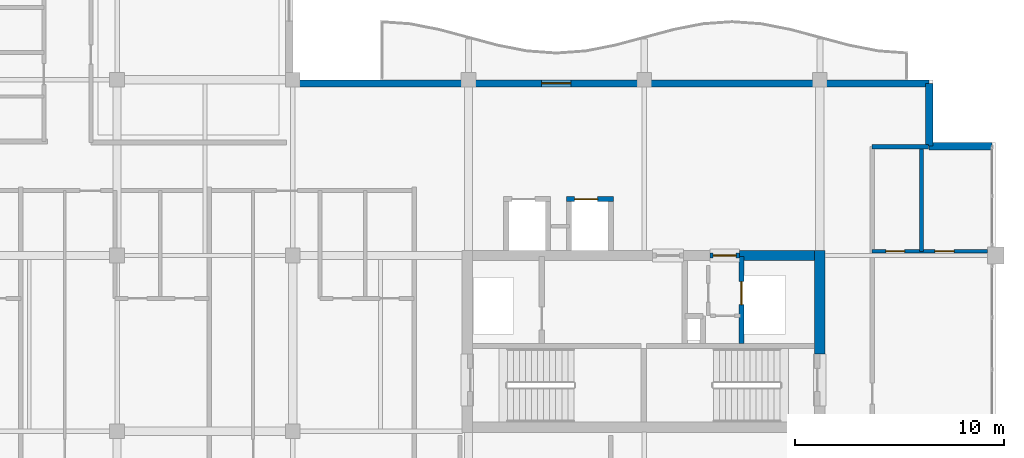
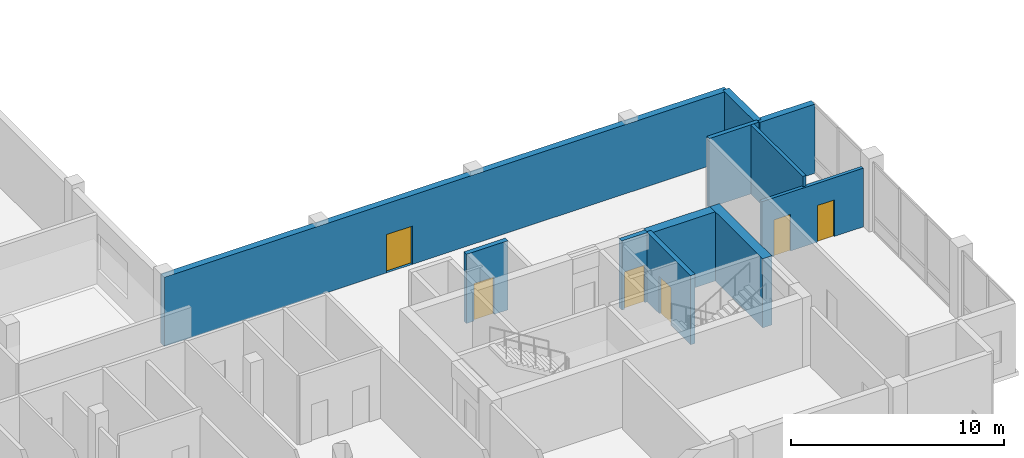
# One storey, part 9 of 16: 11 walls, 6 doors, 6 openings.
"""IFC4 building model written with IfcOpenShell, lengths in metres."""

from ifc_helpers import new_model, si_unit, direction, frame, frame_2d, origin, place, context, subcontext, project, spatial, rectangle, extrude, material, layer, layer_set, type_object, element, fill, save


model = new_model("IFC4")

# Units and contexts
model_context = context("Model", 3, precision=1e-05, world=origin(), true_north=direction((0.0, 1.0)))
body_context = subcontext(model_context, "Body", "Model", "MODEL_VIEW")
ifc_project = project(units=[si_unit("LENGTHUNIT", "METRE"), si_unit("AREAUNIT", "SQUARE_METRE"), si_unit("VOLUMEUNIT", "CUBIC_METRE"), si_unit("PLANEANGLEUNIT", "RADIAN"), si_unit("MASSUNIT", "GRAM", prefix="KILO")], contexts=[model_context])

# Site, building, storey
site_placement = place(None, origin())
site = spatial("IfcSite", under=ifc_project, at=site_placement, CompositionType="ELEMENT")
building_placement = place(site_placement, origin())
building = spatial("IfcBuilding", under=site, at=building_placement, Name="Koriwani Terraces Tower", CompositionType="ELEMENT")
storey_placement = place(building_placement, frame((0.0, 0.0, 355.39990234375)))
storey = spatial("IfcBuildingStorey", under=building, at=storey_placement, Name="L88", CompositionType="ELEMENT", Elevation=355.39990234375)

# Walls
ifc_material_1 = material(Name="Concrete C50/60", Category="concrete")
ifc_layer_1 = layer(ifc_material_1, 0.5, Name="Concrete C50/60")
ifc_layer_set_1 = layer_set([ifc_layer_1], Name="Concrete C50/60")
wall_type_1 = type_object("IfcWallType", Name="WALL_CORE_RC_500", PredefinedType="SHEAR", material=ifc_layer_set_1)
wall_1_placement = place(storey_placement, frame((58.800048828125, 20.5, 0.0), z_axis=(0.0, 0.0, 1.0), x_axis=(0.0, 1.0, 0.0)))
element("IfcWall", 1, at=wall_1_placement, inside=storey, type_object=wall_type_1, Name="L88 East Split Core Shear Wall E2", PredefinedType="SHEAR", context=body_context, shape_type="SweptSolid", body=[
    extrude(rectangle(XDim=4.949951171875, YDim=0.5, at=frame_2d((2.47509765625, 0.0))), origin(), (0.0, 0.0, 1.0), 3.97021484375),
])
wall_2_placement = place(storey_placement, frame((54.949951171875, 25.199951171875, 0.0), z_axis=(0.0, 0.0, 1.0), x_axis=(1.0, 0.0, 0.0)))
element("IfcWall", 2, at=wall_2_placement, inside=storey, type_object=wall_type_1, Name="L88 East Split Core Shear Wall N3", PredefinedType="SHEAR", context=body_context, shape_type="SweptSolid", body=[
    extrude(rectangle(XDim=3.60009765625, YDim=0.5, at=frame_2d((1.800048828125, 0.0))), origin(), (0.0, 0.0, 1.0), 3.97021484375),
])
ifc_material_2 = material(Name="Autoclaved Cellular Concrete Blockwork", Category="masonry")
ifc_layer_2 = layer(ifc_material_2, 0.219970703125, Name="Autoclaved Cellular Concrete Blockwork")
ifc_layer_set_2 = layer_set([ifc_layer_2], Name="Autoclaved Cellular Concrete Blockwork")
wall_type_2 = type_object("IfcWallType", Name="WALL_DEMISING_220", PredefinedType="PARTITIONING", material=ifc_layer_set_2)
wall_3_placement = place(storey_placement, frame((61.300048828125, 30.39990234375, 0.0), z_axis=(0.0, 0.0, 1.0), x_axis=(1.0, 0.0, 0.0)))
element("IfcWall", 3, at=wall_3_placement, inside=storey, type_object=wall_type_2, Name="L88 Interior Wall WET-N-L88", PredefinedType="PARTITIONING", context=body_context, shape_type="SweptSolid", body=[
    extrude(rectangle(XDim=2.699951171875, YDim=0.219970703125, at=frame_2d((1.35009765625, 0.0))), origin(), (0.0, 0.0, 1.0), 3.97021484375),
])

# Wall, opening, door
ifc_layer_3 = layer(ifc_material_1, 0.35009765625, Name="Concrete C50/60")
ifc_layer_set_3 = layer_set([ifc_layer_3], Name="Concrete C50/60")
wall_type_3 = type_object("IfcWallType", Name="WALL_EXT_BRUTALIST_350", PredefinedType="STANDARD", material=ifc_layer_set_3)
wall_4_placement = place(storey_placement, frame((33.425048828125, 33.425048828125, 0.0), z_axis=(0.0, 0.0, 1.0), x_axis=(1.0, 0.0, 0.0)))
wall_4 = element("IfcWall", 4, at=wall_4_placement, inside=storey, type_object=wall_type_3, Name="L88 Fair-Faced Brutalist Exterior Wall (NE)", PredefinedType="STANDARD", context=body_context, shape_type="SweptSolid", body=[
    extrude(rectangle(XDim=30.599853515625, YDim=0.35009765625, at=frame_2d((15.2998046875, 0.0))), origin(), (0.0, 0.0, 1.0), 3.97021484375),
])
opening_1_placement = place(wall_4_placement, frame((12.074951171875, 0.0, 0.0)))
opening_1 = element("IfcOpeningElement", 5, at=opening_1_placement, cuts=wall_4, Name="Opening D-09", PredefinedType="OPENING", context=body_context, shape_type="SweptSolid", body=[
    extrude(rectangle(XDim=1.39990234375, YDim=2.199951171875, at=frame_2d((0.699951171875, 1.10009765625))), frame((0.0, 0.18505859375, 0.0), z_axis=(0.0, -1.0, 0.0), x_axis=(1.0, 0.0, 0.0)), (0.0, 0.0, 1.0), 0.3701171875),
])
ifc_material_3 = material(Name="Anodised Bronze Aluminium", Category="aluminium")
door_type_1 = type_object("IfcDoorType", Name="DOOR_BALCONY_GLAZED_1400X2200", OperationType="NOTDEFINED", PredefinedType="DOOR", material=ifc_material_3)
door_1_placement = place(opening_1_placement, origin())
door_1 = element("IfcDoor", 6, at=door_1_placement, inside=storey, type_object=door_type_1, Name="L88 Inner Court Balcony Glazed Door", OperationType="SINGLE_SWING_LEFT", OverallHeight=2.199951171875, OverallWidth=1.39990234375, PredefinedType="DOOR", context=body_context, shape_type="SweptSolid", body=[
    extrude(rectangle(XDim=1.39990234375, YDim=2.199951171875, at=frame_2d((0.699951171875, 1.10009765625))), frame((0.0, 0.02490234375, 0.0), z_axis=(0.0, -1.0, 0.0), x_axis=(1.0, 0.0, 0.0)), (0.0, 0.0, 1.0), 0.050048828125),
])
fill(opening_1, door_1)

# Walls
for number, where, z_axis, x_axis, name in (
    (7, (64.02490234375, 33.425048828125, 0.0), (0.0, 0.0, 1.0), (0.0, -1.0, 0.0), "L88 Fair-Faced Brutalist Exterior Wall (N10)"),
    (8, (64.02490234375, 30.425048828125, 0.0), (0.0, 0.0, 1.0), (1.0, 0.0, 0.0), "L88 Fair-Faced Brutalist Exterior Wall (N11)"),
):
    element("IfcWall", number, at=place(storey_placement, frame(where, z_axis=z_axis, x_axis=x_axis)), inside=storey, type_object=wall_type_3, Name=name, PredefinedType="STANDARD", context=body_context, shape_type="SweptSolid", body=[
        extrude(rectangle(XDim=3.0, YDim=0.35009765625, at=frame_2d((1.5, 0.0))), origin(), (0.0, 0.0, 1.0), 3.97021484375),
    ])

# Wall, openings, doors
ifc_material_4 = material(Name="Fire-Rated Acoustic Gypsum Partition", Category="masonry")
ifc_layer_4 = layer(ifc_material_4, 0.179931640625, Name="Fire-Rated Acoustic Gypsum Partition")
ifc_layer_set_4 = layer_set([ifc_layer_4], Name="Fire-Rated Acoustic Gypsum Partition")
wall_type_4 = type_object("IfcWallType", Name="WALL_PLUMBING_180", PredefinedType="PLUMBINGWALL", material=ifc_layer_set_4)
wall_5_placement = place(storey_placement, frame((61.300048828125, 25.39990234375, 0.0), z_axis=(0.0, 0.0, 1.0), x_axis=(1.0, 0.0, 0.0)))
wall_5 = element("IfcWall", 9, at=wall_5_placement, inside=storey, type_object=wall_type_4, Name="L88 Interior Wall WET-SVB-L88", PredefinedType="PLUMBINGWALL", context=body_context, shape_type="SweptSolid", body=[
    extrude(rectangle(XDim=5.5, YDim=0.179931640625, at=frame_2d((2.75, 0.0))), origin(), (0.0, 0.0, 1.0), 3.3701171875),
])
opening_2_placement = place(wall_5_placement, frame((0.64990234375, 0.0, 0.0)))
opening_2 = element("IfcOpeningElement", 10, at=opening_2_placement, cuts=wall_5, Name="Opening D-07", PredefinedType="OPENING", context=body_context, shape_type="SweptSolid", body=[
    extrude(rectangle(XDim=0.89990234375, YDim=2.10009765625, at=frame_2d((0.449951171875, 1.050048828125))), frame((0.0, 0.10009765625, 0.0), z_axis=(0.0, -1.0, 0.0), x_axis=(1.0, 0.0, 0.0)), (0.0, 0.0, 1.0), 0.199951171875),
])
opening_3_placement = place(wall_5_placement, frame((3.0, 0.0, 0.0)))
opening_3 = element("IfcOpeningElement", 11, at=opening_3_placement, cuts=wall_5, Name="Opening D-06", PredefinedType="OPENING", context=body_context, shape_type="SweptSolid", body=[
    extrude(rectangle(XDim=0.919921875, YDim=2.10009765625, at=frame_2d((0.4599609375, 1.050048828125))), frame((0.0, 0.10009765625, 0.0), z_axis=(0.0, -1.0, 0.0), x_axis=(1.0, 0.0, 0.0)), (0.0, 0.0, 1.0), 0.199951171875),
])
ifc_material_5 = material(Name="Architectural Oak Fire Door", Category="wood")
door_type_2 = type_object("IfcDoorType", Name="DOOR_BATH_INT_900X2100", OperationType="NOTDEFINED", PredefinedType="DOOR", material=ifc_material_5)
door_2_placement = place(opening_2_placement, origin())
door_2 = element("IfcDoor", 12, at=door_2_placement, inside=storey, type_object=door_type_2, Name="Penthouse 88ET Bathroom Door", OperationType="SINGLE_SWING_RIGHT", OverallHeight=2.10009765625, OverallWidth=0.89990234375, PredefinedType="DOOR", context=body_context, shape_type="SweptSolid", body=[
    extrude(rectangle(XDim=0.89990234375, YDim=2.10009765625, at=frame_2d((0.449951171875, 1.050048828125))), frame((0.0, 0.02490234375, 0.0), z_axis=(0.0, -1.0, 0.0), x_axis=(1.0, 0.0, 0.0)), (0.0, 0.0, 1.0), 0.050048828125),
])
fill(opening_2, door_2)
door_type_3 = type_object("IfcDoorType", Name="DOOR_ROOM_INT_920X2100", OperationType="NOTDEFINED", PredefinedType="DOOR", material=ifc_material_5)
door_3_placement = place(opening_3_placement, origin())
door_3 = element("IfcDoor", 13, at=door_3_placement, inside=storey, type_object=door_type_3, Name="Penthouse 88ET Kitchen Door", OperationType="SINGLE_SWING_LEFT", OverallHeight=2.10009765625, OverallWidth=0.919921875, PredefinedType="DOOR", context=body_context, shape_type="SweptSolid", body=[
    extrude(rectangle(XDim=0.919921875, YDim=2.10009765625, at=frame_2d((0.4599609375, 1.050048828125))), frame((0.0, 0.02490234375, 0.0), z_axis=(0.0, -1.0, 0.0), x_axis=(1.0, 0.0, 0.0)), (0.0, 0.0, 1.0), 0.050048828125),
])
fill(opening_3, door_3)

# Wall
wall_6_placement = place(storey_placement, frame((63.64990234375, 25.39990234375, 0.0), z_axis=(0.0, 0.0, 1.0), x_axis=(0.0, 1.0, 0.0)))
element("IfcWall", 14, at=wall_6_placement, inside=storey, type_object=wall_type_4, Name="L88 Interior Wall WET-SVCM-L88", PredefinedType="PLUMBINGWALL", context=body_context, shape_type="SweptSolid", body=[
    extrude(rectangle(XDim=5.0, YDim=0.179931640625, at=frame_2d((2.5, 0.0))), origin(), (0.0, 0.0, 1.0), 3.97021484375),
])

# Wall, opening, door
ifc_material_6 = material(Name="Concrete C40/50", Category="concrete")
ifc_layer_5 = layer(ifc_material_6, 0.25, Name="Concrete C40/50")
ifc_layer_set_5 = layer_set([ifc_layer_5], Name="Concrete C40/50")
wall_type_5 = type_object("IfcWallType", Name="WALL_SHAFT_RATED_250", PredefinedType="SOLIDWALL", material=ifc_layer_set_5)
wall_7_placement = place(storey_placement, frame((55.050048828125, 21.0, 0.0), z_axis=(0.0, 0.0, 1.0), x_axis=(0.0, 1.0, 0.0)))
wall_7 = element("IfcWall", 15, at=wall_7_placement, inside=storey, type_object=wall_type_5, Name="L88 Interior Wall WIN-CE-L88-SE", PredefinedType="SOLIDWALL", context=body_context, shape_type="SweptSolid", body=[
    extrude(rectangle(XDim=4.14990234375, YDim=0.25, at=frame_2d((2.074951171875, 0.0))), origin(), (0.0, 0.0, 1.0), 3.97021484375),
])
opening_4_placement = place(wall_7_placement, frame((1.85009765625, 0.0, 0.0)))
opening_4 = element("IfcOpeningElement", 16, at=opening_4_placement, cuts=wall_7, Name="Opening LD-01", PredefinedType="OPENING", context=body_context, shape_type="SweptSolid", body=[
    extrude(rectangle(XDim=1.10009765625, YDim=2.14990234375, at=frame_2d((0.550048828125, 1.074951171875))), frame((0.0, 0.135009765625, 0.0), z_axis=(0.0, -1.0, 0.0), x_axis=(1.0, 0.0, 0.0)), (0.0, 0.0, 1.0), 0.27001953125),
])
ifc_material_7 = material(Name="Steel ASTM A572 Grade 50", Category="steel")
door_type_4 = type_object("IfcDoorType", Name="DOOR_LIFT_LANDING_1100X2200", OperationType="NOTDEFINED", PredefinedType="DOOR", material=ifc_material_7)
door_4_placement = place(opening_4_placement, origin())
door_4 = element("IfcDoor", 17, at=door_4_placement, inside=storey, type_object=door_type_4, Name="L88 Goods Lift SE-02 Landing Door", OperationType="SLIDING_TO_LEFT", OverallHeight=2.14990234375, OverallWidth=1.10009765625, PredefinedType="DOOR", context=body_context, shape_type="SweptSolid", body=[
    extrude(rectangle(XDim=1.10009765625, YDim=2.14990234375, at=frame_2d((0.550048828125, 1.074951171875))), frame((0.0, 0.02490234375, 0.0), z_axis=(0.0, -1.0, 0.0), x_axis=(1.0, 0.0, 0.0)), (0.0, 0.0, 1.0), 0.050048828125),
])
fill(opening_4, door_4)

wall_8_placement = place(storey_placement, frame((53.550048828125, 25.199951171875, 0.0), z_axis=(0.0, 0.0, 1.0), x_axis=(1.0, 0.0, 0.0)))
wall_8 = element("IfcWall", 18, at=wall_8_placement, inside=storey, type_object=wall_type_5, Name="L88 Interior Wall WIN-CE-L88-NP2", PredefinedType="SOLIDWALL", context=body_context, shape_type="SweptSolid", body=[
    extrude(rectangle(XDim=1.39990234375, YDim=0.25, at=frame_2d((0.699951171875, 0.0))), origin(), (0.0, 0.0, 1.0), 3.97021484375),
])
opening_5_placement = place(wall_8_placement, frame((0.14990234375, 0.0, 0.0)))
opening_5 = element("IfcOpeningElement", 19, at=opening_5_placement, cuts=wall_8, Name="Opening D-03", PredefinedType="OPENING", context=body_context, shape_type="SweptSolid", body=[
    extrude(rectangle(XDim=1.10009765625, YDim=2.14990234375, at=frame_2d((0.550048828125, 1.074951171875))), frame((0.0, 0.135009765625, 0.0), z_axis=(0.0, -1.0, 0.0), x_axis=(1.0, 0.0, 0.0)), (0.0, 0.0, 1.0), 0.27001953125),
])
door_type_5 = type_object("IfcDoorType", Name="DOOR_STAIR_FIRE_1100X2150", OperationType="NOTDEFINED", PredefinedType="DOOR", material=ifc_material_7)
door_5_placement = place(opening_5_placement, origin())
door_5 = element("IfcDoor", 20, at=door_5_placement, inside=storey, type_object=door_type_5, Name="L88 East Goods Lift Lobby Door", OperationType="SINGLE_SWING_LEFT", OverallHeight=2.14990234375, OverallWidth=1.10009765625, PredefinedType="DOOR", context=body_context, shape_type="SweptSolid", body=[
    extrude(rectangle(XDim=1.10009765625, YDim=2.14990234375, at=frame_2d((0.550048828125, 1.074951171875))), frame((0.0, 0.02490234375, 0.0), z_axis=(0.0, -1.0, 0.0), x_axis=(1.0, 0.0, 0.0)), (0.0, 0.0, 1.0), 0.050048828125),
])
fill(opening_5, door_5)

wall_9_placement = place(storey_placement, frame((46.675048828125, 27.89990234375, 0.0), z_axis=(0.0, 0.0, 1.0), x_axis=(1.0, 0.0, 0.0)))
wall_9 = element("IfcWall", 21, at=wall_9_placement, inside=storey, type_object=wall_type_5, Name="L88 Interior Wall WIN-LF-PE-H4-L88-F", PredefinedType="SOLIDWALL", context=body_context, shape_type="SweptSolid", body=[
    extrude(rectangle(XDim=2.25, YDim=0.25, at=frame_2d((1.125, 0.0))), origin(), (0.0, 0.0, 1.0), 3.97021484375),
])
opening_6_placement = place(wall_9_placement, frame((0.39990234375, 0.0, 0.0)))
opening_6 = element("IfcOpeningElement", 22, at=opening_6_placement, cuts=wall_9, Name="Opening LD-01", PredefinedType="OPENING", context=body_context, shape_type="SweptSolid", body=[
    extrude(rectangle(XDim=1.10009765625, YDim=2.14990234375, at=frame_2d((0.550048828125, 1.074951171875))), frame((0.0, 0.135009765625, 0.0), z_axis=(0.0, -1.0, 0.0), x_axis=(1.0, 0.0, 0.0)), (0.0, 0.0, 1.0), 0.27001953125),
])
door_6_placement = place(opening_6_placement, origin())
door_6 = element("IfcDoor", 23, at=door_6_placement, inside=storey, type_object=door_type_4, Name="L88 Passenger Lift PE-H4 Landing Door", OperationType="SLIDING_TO_LEFT", OverallHeight=2.14990234375, OverallWidth=1.10009765625, PredefinedType="DOOR", context=body_context, shape_type="SweptSolid", body=[
    extrude(rectangle(XDim=1.10009765625, YDim=2.14990234375, at=frame_2d((0.550048828125, 1.074951171875))), frame((0.0, 0.02490234375, 0.0), z_axis=(0.0, -1.0, 0.0), x_axis=(1.0, 0.0, 0.0)), (0.0, 0.0, 1.0), 0.050048828125),
])
fill(opening_6, door_6)

save(model, "model.ifc")
